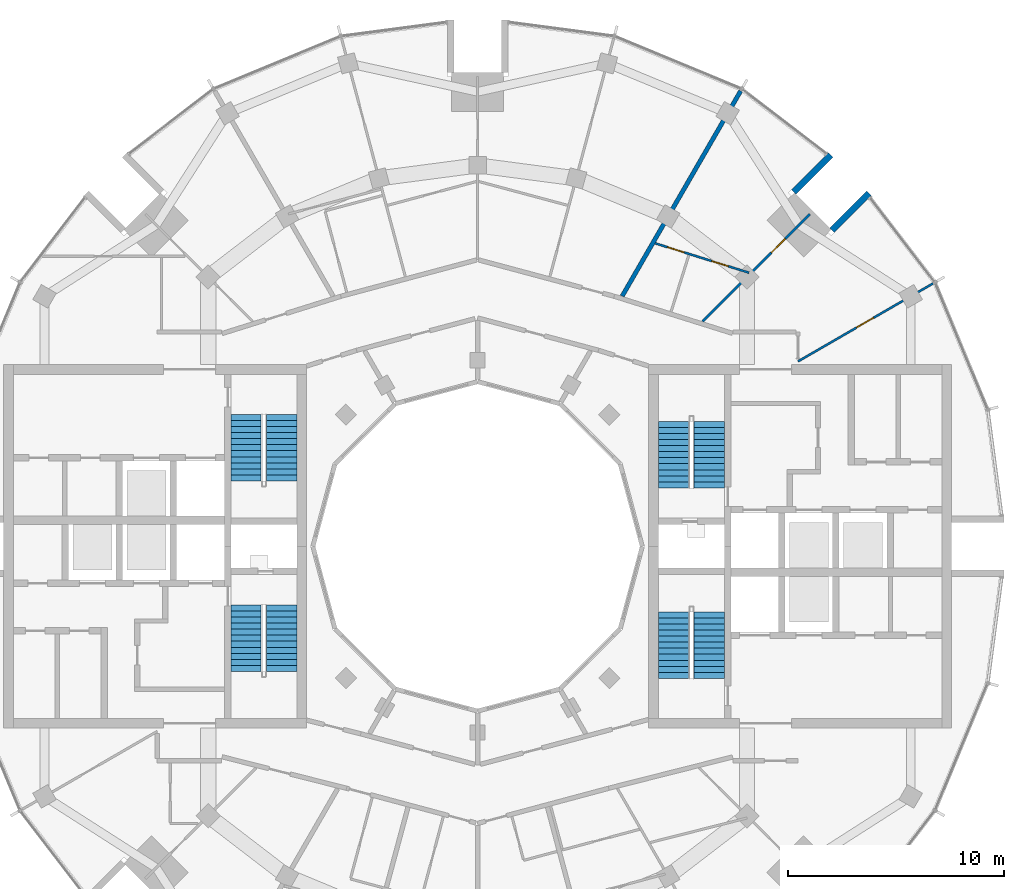
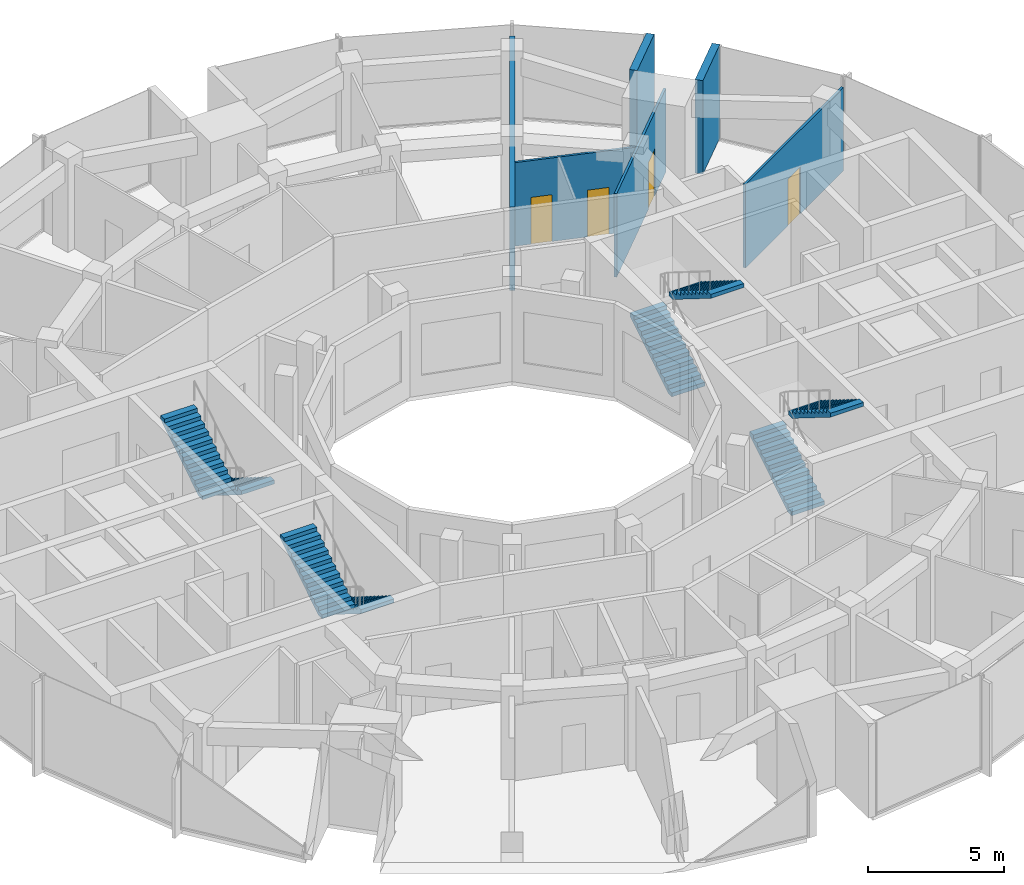
# One storey, part 13 of 15: 8 stair flights, 6 walls, 4 doors, 4 openings, 4 elements without a shape of their own.
"""IFC4 building model written with IfcOpenShell, lengths in metres."""

from ifc_helpers import new_model, si_unit, direction, frame, frame_2d, origin, place, context, subcontext, project, spatial, polyline, rectangle, outline, extrude, material, layer, layer_set, type_object, element, fill, aggregate, save


model = new_model("IFC4")

# Units and contexts
model_context = context("Model", 3, precision=1e-05, world=origin(), true_north=direction((0.0, 1.0)))
body_context = subcontext(model_context, "Body", "Model", "MODEL_VIEW")
ifc_project = project(units=[si_unit("LENGTHUNIT", "METRE"), si_unit("AREAUNIT", "SQUARE_METRE"), si_unit("VOLUMEUNIT", "CUBIC_METRE"), si_unit("PLANEANGLEUNIT", "RADIAN"), si_unit("MASSUNIT", "GRAM", prefix="KILO")], contexts=[model_context])

# Site, building, storey
site_placement = place(None, origin())
site = spatial("IfcSite", under=ifc_project, at=site_placement, CompositionType="ELEMENT")
building_placement = place(site_placement, origin())
building = spatial("IfcBuilding", under=site, at=building_placement, Name="Torre Brocal", CompositionType="ELEMENT")
storey_placement = place(building_placement, frame((0.0, 0.0, 284.10009765625)))
storey = spatial("IfcBuildingStorey", under=building, at=storey_placement, Name="L65", CompositionType="ELEMENT", Elevation=284.10009765625)

# Walls
ifc_material_1 = material(Name="Concrete C50", Category="concrete")
ifc_layer_1 = layer(ifc_material_1, 0.300048828125)
ifc_layer_set_1 = layer_set([ifc_layer_1], Name="Concrete C50")
wall_type_1 = type_object("IfcWallType", Name="NOTCH RETURN WALL 300 C50", PredefinedType="NOTDEFINED", material=ifc_layer_set_1)
for number, where, z_axis, x_axis, name in (
    (1, (96.36962890625, 89.601806640625, 0.0), (0.0, 0.0, 1.0), (0.707106781187, 0.707106781187, 0.0), "NOTCH RETURN WALL"),
    (2, (94.601806640625, 91.36962890625, 0.0), (0.0, 0.0, 1.0), (0.707106781187, 0.707106781187, 0.0), "NOTCH RETURN WALL"),
):
    element("IfcWall", number, at=place(storey_placement, frame(where, z_axis=z_axis, x_axis=x_axis)), inside=storey, type_object=wall_type_1, Name=name, PredefinedType="NOTDEFINED", context=body_context, shape_type="SweptSolid", body=[
        extrude(rectangle(XDim=2.41552734375, YDim=0.300048828125, at=frame_2d((1.207763671875, 0.0))), origin(), (0.0, 0.0, 1.0), 4.199951171875),
    ])

# Wall, openings, doors
ifc_material_2 = material(Name="Gypsum board", Category="Gypsum")
ifc_layer_2 = layer(ifc_material_2, 0.10009765625)
ifc_layer_set_2 = layer_set([ifc_layer_2], Name="Gypsum board")
wall_type_2 = type_object("IfcWallType", Name="PARTITION 100", PredefinedType="PARTITIONING", material=ifc_layer_set_2)
wall_1_placement = place(storey_placement, frame((88.20703125, 88.999267578125, 0.0), z_axis=(0.0, 0.0, 1.0), x_axis=(0.954166656768, -0.29927577769, 0.0)))
wall_1 = element("IfcWall", 3, at=wall_1_placement, inside=storey, type_object=wall_type_2, Name="BATHROOM WALL", PredefinedType="PARTITIONING", context=body_context, shape_type="SweptSolid", body=[
    extrude(rectangle(XDim=4.54150390625, YDim=0.10009765625, at=frame_2d((2.270751953125, 0.0))), origin(), (0.0, 0.0, 1.0), 3.75),
])
opening_1_placement = place(wall_1_placement, frame((0.59228515625, 0.0, 0.0)))
opening_1 = element("IfcOpeningElement", 4, at=opening_1_placement, cuts=wall_1, Name="Opening N01-D03", PredefinedType="OPENING", context=body_context, shape_type="SweptSolid", body=[
    extrude(rectangle(XDim=0.800048828125, YDim=2.10009765625, at=frame_2d((0.39990234375, 1.050048828125))), frame((0.0, 0.06005859375, 0.0), z_axis=(0.0, -1.0, 0.0), x_axis=(1.0, 0.0, 0.0)), (0.0, 0.0, 1.0), 0.1201171875),
])
opening_2_placement = place(wall_1_placement, frame((2.73193359375, 0.0, 0.0)))
opening_2 = element("IfcOpeningElement", 5, at=opening_2_placement, cuts=wall_1, Name="Opening N01-D04", PredefinedType="OPENING", context=body_context, shape_type="SweptSolid", body=[
    extrude(rectangle(XDim=0.800048828125, YDim=2.10009765625, at=frame_2d((0.39990234375, 1.050048828125))), frame((0.0, 0.06005859375, 0.0), z_axis=(0.0, -1.0, 0.0), x_axis=(1.0, 0.0, 0.0)), (0.0, 0.0, 1.0), 0.1201171875),
])
ifc_material_3 = material(Name="Timber", Category="wood")
door_type_1 = type_object("IfcDoorType", Name="BATHROOM DOOR 800X2100", OperationType="SINGLE_SWING_LEFT", PredefinedType="DOOR", material=ifc_material_3)
door_1_placement = place(opening_1_placement, frame((0.800048828125, 0.0, 0.0), z_axis=(0.0, 0.0, 1.0), x_axis=(-1.0, 0.0, 0.0)))
door_1 = element("IfcDoor", 6, at=door_1_placement, inside=storey, type_object=door_type_1, Name="N01-D03", OperationType="SINGLE_SWING_LEFT", OverallHeight=2.10009765625, OverallWidth=0.800048828125, PredefinedType="DOOR", context=body_context, shape_type="SweptSolid", body=[
    extrude(rectangle(XDim=0.800048828125, YDim=2.10009765625, at=frame_2d((0.39990234375, 1.050048828125))), frame((0.0, 0.02490234375, 0.0), z_axis=(0.0, -1.0, 0.0), x_axis=(1.0, 0.0, 0.0)), (0.0, 0.0, 1.0), 0.050048828125),
])
fill(opening_1, door_1)
door_2_placement = place(opening_2_placement, frame((0.800048828125, 0.0, 0.0), z_axis=(0.0, 0.0, 1.0), x_axis=(-1.0, 0.0, 0.0)))
door_2 = element("IfcDoor", 7, at=door_2_placement, inside=storey, type_object=door_type_1, Name="N01-D04", OperationType="SINGLE_SWING_LEFT", OverallHeight=2.10009765625, OverallWidth=0.800048828125, PredefinedType="DOOR", context=body_context, shape_type="SweptSolid", body=[
    extrude(rectangle(XDim=0.800048828125, YDim=2.10009765625, at=frame_2d((0.39990234375, 1.050048828125))), frame((0.0, 0.02490234375, 0.0), z_axis=(0.0, -1.0, 0.0), x_axis=(1.0, 0.0, 0.0)), (0.0, 0.0, 1.0), 0.050048828125),
])
fill(opening_2, door_2)

# Wall, opening, door
wall_2_placement = place(storey_placement, frame((90.39501953125, 85.39501953125, 0.0), z_axis=(0.0, 0.0, 1.0), x_axis=(0.707106781187, 0.707106781187, 0.0)))
wall_2 = element("IfcWall", 8, at=wall_2_placement, inside=storey, type_object=wall_type_2, Name="BATHROOM WALL", PredefinedType="PARTITIONING", context=body_context, shape_type="SweptSolid", body=[
    extrude(rectangle(XDim=6.99951171875, YDim=0.10009765625, at=frame_2d((3.499755859375, 0.0))), origin(), (0.0, 0.0, 1.0), 3.75),
])
opening_3_placement = place(wall_2_placement, frame((4.49609375, 0.0, 0.0)))
opening_3 = element("IfcOpeningElement", 9, at=opening_3_placement, cuts=wall_2, Name="Opening N01-D02", PredefinedType="OPENING", context=body_context, shape_type="SweptSolid", body=[
    extrude(rectangle(XDim=0.89990234375, YDim=2.10009765625, at=frame_2d((0.449951171875, 1.050048828125))), frame((0.0, 0.06005859375, 0.0), z_axis=(0.0, -1.0, 0.0), x_axis=(1.0, 0.0, 0.0)), (0.0, 0.0, 1.0), 0.1201171875),
])
ifc_material_4 = material(Name="Timber", Category="wood")
door_type_2 = type_object("IfcDoorType", Name="ROOM DOOR 900X2100", OperationType="SINGLE_SWING_LEFT", PredefinedType="DOOR", material=ifc_material_4)
door_3_placement = place(opening_3_placement, frame((0.89990234375, 0.0, 0.0), z_axis=(0.0, 0.0, 1.0), x_axis=(-1.0, 0.0, 0.0)))
door_3 = element("IfcDoor", 10, at=door_3_placement, inside=storey, type_object=door_type_2, Name="N01-D02", OperationType="SINGLE_SWING_RIGHT", OverallHeight=2.10009765625, OverallWidth=0.89990234375, PredefinedType="DOOR", context=body_context, shape_type="SweptSolid", body=[
    extrude(rectangle(XDim=0.89990234375, YDim=2.10009765625, at=frame_2d((0.449951171875, 1.050048828125))), frame((0.0, 0.02490234375, 0.0), z_axis=(0.0, -1.0, 0.0), x_axis=(1.0, 0.0, 0.0)), (0.0, 0.0, 1.0), 0.050048828125),
])
fill(opening_3, door_3)

wall_3_placement = place(storey_placement, frame((94.800048828125, 83.544921875, 0.0), z_axis=(0.0, 0.0, 1.0), x_axis=(0.866044015472, 0.499967762227, 0.0)))
wall_3 = element("IfcWall", 11, at=wall_3_placement, inside=storey, type_object=wall_type_2, Name="ROOM PARTITION", PredefinedType="PARTITIONING", context=body_context, shape_type="SweptSolid", body=[
    extrude(rectangle(XDim=7.2080078125, YDim=0.10009765625, at=frame_2d((3.60400390625, 0.0))), origin(), (0.0, 0.0, 1.0), 3.75),
])
opening_4_placement = place(wall_3_placement, frame((3.12890625, 0.0, 0.0)))
opening_4 = element("IfcOpeningElement", 12, at=opening_4_placement, cuts=wall_3, Name="Opening N01-D05", PredefinedType="OPENING", context=body_context, shape_type="SweptSolid", body=[
    extrude(rectangle(XDim=0.89990234375, YDim=2.10009765625, at=frame_2d((0.449951171875, 1.050048828125))), frame((0.0, 0.06005859375, 0.0), z_axis=(0.0, -1.0, 0.0), x_axis=(1.0, 0.0, 0.0)), (0.0, 0.0, 1.0), 0.1201171875),
])
door_4_placement = place(opening_4_placement, frame((0.89990234375, 0.0, 0.0), z_axis=(0.0, 0.0, 1.0), x_axis=(-1.0, 0.0, 0.0)))
door_4 = element("IfcDoor", 13, at=door_4_placement, inside=storey, type_object=door_type_2, Name="N01-D05", OperationType="SINGLE_SWING_RIGHT", OverallHeight=2.10009765625, OverallWidth=0.89990234375, PredefinedType="DOOR", context=body_context, shape_type="SweptSolid", body=[
    extrude(rectangle(XDim=0.89990234375, YDim=2.10009765625, at=frame_2d((0.449951171875, 1.050048828125))), frame((0.0, 0.02490234375, 0.0), z_axis=(0.0, -1.0, 0.0), x_axis=(1.0, 0.0, 0.0)), (0.0, 0.0, 1.0), 0.050048828125),
])
fill(opening_4, door_4)

# Wall
ifc_material_5 = material(Name="Gypsum board", Category="Gypsum")
ifc_layer_3 = layer(ifc_material_5, 0.199951171875)
ifc_layer_set_3 = layer_set([ifc_layer_3], Name="Gypsum board")
wall_type_3 = type_object("IfcWallType", Name="PARTITION 200 EI60", PredefinedType="PARTITIONING", material=ifc_layer_set_3)
wall_4_placement = place(storey_placement, frame((86.677978515625, 86.561767578125, 0.0), z_axis=(0.0, 0.0, 1.0), x_axis=(0.500133037155, 0.865948581122, 0.0)))
element("IfcWall", 14, at=wall_4_placement, inside=storey, type_object=wall_type_3, Name="BATHROOM WALL", PredefinedType="PARTITIONING", context=body_context, shape_type="SweptSolid", body=[
    extrude(rectangle(XDim=10.94580078125, YDim=0.199951171875, at=frame_2d((5.472900390625, 0.0))), origin(), (0.0, 0.0, 1.0), 3.75),
])

# Stair, stair flights
ifc_material_6 = material(Name="Concrete C50", Category="concrete")
stair_type = type_object("IfcStairType", Name="EXIT STAIR", PredefinedType="HALF_TURN_STAIR", material=ifc_material_6)
stair_1_placement = place(storey_placement, origin())
stair_1 = element("IfcStair", 15, at=stair_1_placement, inside=storey, type_object=stair_type, Name="EXIT STAIR ST1", PredefinedType="HALF_TURN_STAIR")
ifc_material_7 = material(Name="Concrete C50", Category="concrete")
ifc_layer_4 = layer(ifc_material_7, 0.14990234375)
ifc_layer_set_4 = layer_set([ifc_layer_4], Name="Concrete C50")
stair_flight_type = type_object("IfcStairFlightType", Name="STAIR FLIGHT", PredefinedType="STRAIGHT", material=ifc_layer_set_4)
stair_flight_1_placement = place(storey_placement, frame((89.050048828125, 77.699951171875, 0.0), z_axis=(0.0, 0.0, 1.0), x_axis=(0.0, 1.0, 0.0)))
stair_flight_1 = element("IfcStairFlight", 16, at=stair_flight_1_placement, type_object=stair_flight_type, Name="ST1 flight 1", NumberOfRisers=12, NumberOfTreads=11, PredefinedType="STRAIGHT", RiserHeight=0.175, TreadLength=0.28, context=body_context, shape_type="SweptSolid", body=[
    extrude(outline(polyline([(0.0, 0.0), (0.0, 0.175048828125), (0.280029296875, 0.175048828125), (0.280029296875, 0.35009765625), (0.56005859375, 0.35009765625), (0.56005859375, 0.52490234375), (0.840087890625, 0.52490234375), (0.840087890625, 0.699951171875), (1.1201171875, 0.699951171875), (1.1201171875, 0.875), (1.39990234375, 0.875), (1.39990234375, 1.050048828125), (1.679931640625, 1.050048828125), (1.679931640625, 1.22509765625), (1.9599609375, 1.22509765625), (1.9599609375, 1.39990234375), (2.239990234375, 1.39990234375), (2.239990234375, 1.574951171875), (2.52001953125, 1.574951171875), (2.52001953125, 1.75), (2.800048828125, 1.75), (2.800048828125, 1.925048828125), (3.080078125, 1.925048828125), (3.080078125, 2.10009765625), (3.080078125, 1.748291015625), (0.28271484375, 0.0), (0.0, 0.0)])), frame((0.0, 0.699951171875, 0.0), z_axis=(0.0, -1.0, 0.0), x_axis=(1.0, 0.0, 0.0)), (0.0, 0.0, 1.0), 1.39990234375),
])
stair_flight_2_placement = place(storey_placement, frame((90.699951171875, 80.780029296875, 2.099853515625), z_axis=(0.0, 0.0, 1.0), x_axis=(0.0, -1.0, 0.0)))
stair_flight_2 = element("IfcStairFlight", 17, at=stair_flight_2_placement, type_object=stair_flight_type, Name="ST1 flight 2", NumberOfRisers=12, NumberOfTreads=11, PredefinedType="STRAIGHT", RiserHeight=0.175, TreadLength=0.28, context=body_context, shape_type="SweptSolid", body=[
    extrude(outline(polyline([(0.0, 0.0), (0.0, 0.175048828125), (0.280029296875, 0.175048828125), (0.280029296875, 0.35009765625), (0.56005859375, 0.35009765625), (0.56005859375, 0.52490234375), (0.840087890625, 0.52490234375), (0.840087890625, 0.699951171875), (1.1201171875, 0.699951171875), (1.1201171875, 0.875), (1.39990234375, 0.875), (1.39990234375, 1.050048828125), (1.679931640625, 1.050048828125), (1.679931640625, 1.22509765625), (1.9599609375, 1.22509765625), (1.9599609375, 1.39990234375), (2.239990234375, 1.39990234375), (2.239990234375, 1.574951171875), (2.52001953125, 1.574951171875), (2.52001953125, 1.75), (2.800048828125, 1.75), (2.800048828125, 1.925048828125), (3.080078125, 1.925048828125), (3.080078125, 2.10009765625), (3.080078125, 1.748291015625), (0.28271484375, 0.0), (0.0, 0.0)])), frame((0.0, 0.699951171875, 0.0), z_axis=(0.0, -1.0, 0.0), x_axis=(1.0, 0.0, 0.0)), (0.0, 0.0, 1.0), 1.39990234375),
])
aggregate(stair_1, [stair_flight_1, stair_flight_2])

stair_2_placement = place(storey_placement, origin())
stair_2 = element("IfcStair", 18, at=stair_2_placement, inside=storey, type_object=stair_type, Name="EXIT STAIR ST2", PredefinedType="HALF_TURN_STAIR")
stair_flight_3_placement = place(storey_placement, frame((89.050048828125, 68.89990234375, 0.0), z_axis=(0.0, 0.0, 1.0), x_axis=(0.0, 1.0, 0.0)))
stair_flight_3 = element("IfcStairFlight", 19, at=stair_flight_3_placement, type_object=stair_flight_type, Name="ST2 flight 1", NumberOfRisers=12, NumberOfTreads=11, PredefinedType="STRAIGHT", RiserHeight=0.175, TreadLength=0.28, context=body_context, shape_type="SweptSolid", body=[
    extrude(outline(polyline([(0.0, 0.0), (0.0, 0.175048828125), (0.280029296875, 0.175048828125), (0.280029296875, 0.35009765625), (0.56005859375, 0.35009765625), (0.56005859375, 0.52490234375), (0.840087890625, 0.52490234375), (0.840087890625, 0.699951171875), (1.1201171875, 0.699951171875), (1.1201171875, 0.875), (1.39990234375, 0.875), (1.39990234375, 1.050048828125), (1.679931640625, 1.050048828125), (1.679931640625, 1.22509765625), (1.9599609375, 1.22509765625), (1.9599609375, 1.39990234375), (2.239990234375, 1.39990234375), (2.239990234375, 1.574951171875), (2.52001953125, 1.574951171875), (2.52001953125, 1.75), (2.800048828125, 1.75), (2.800048828125, 1.925048828125), (3.080078125, 1.925048828125), (3.080078125, 2.10009765625), (3.080078125, 1.748291015625), (0.28271484375, 0.0), (0.0, 0.0)])), frame((0.0, 0.699951171875, 0.0), z_axis=(0.0, -1.0, 0.0), x_axis=(1.0, 0.0, 0.0)), (0.0, 0.0, 1.0), 1.39990234375),
])
stair_flight_4_placement = place(storey_placement, frame((90.699951171875, 71.97998046875, 2.099853515625), z_axis=(0.0, 0.0, 1.0), x_axis=(0.0, -1.0, 0.0)))
stair_flight_4 = element("IfcStairFlight", 20, at=stair_flight_4_placement, type_object=stair_flight_type, Name="ST2 flight 2", NumberOfRisers=12, NumberOfTreads=11, PredefinedType="STRAIGHT", RiserHeight=0.175, TreadLength=0.28, context=body_context, shape_type="SweptSolid", body=[
    extrude(outline(polyline([(0.0, 0.0), (0.0, 0.175048828125), (0.280029296875, 0.175048828125), (0.280029296875, 0.35009765625), (0.56005859375, 0.35009765625), (0.56005859375, 0.52490234375), (0.840087890625, 0.52490234375), (0.840087890625, 0.699951171875), (1.1201171875, 0.699951171875), (1.1201171875, 0.875), (1.39990234375, 0.875), (1.39990234375, 1.050048828125), (1.679931640625, 1.050048828125), (1.679931640625, 1.22509765625), (1.9599609375, 1.22509765625), (1.9599609375, 1.39990234375), (2.239990234375, 1.39990234375), (2.239990234375, 1.574951171875), (2.52001953125, 1.574951171875), (2.52001953125, 1.75), (2.800048828125, 1.75), (2.800048828125, 1.925048828125), (3.080078125, 1.925048828125), (3.080078125, 2.10009765625), (3.080078125, 1.748291015625), (0.28271484375, 0.0), (0.0, 0.0)])), frame((0.0, 0.699951171875, 0.0), z_axis=(0.0, -1.0, 0.0), x_axis=(1.0, 0.0, 0.0)), (0.0, 0.0, 1.0), 1.39990234375),
])
aggregate(stair_2, [stair_flight_3, stair_flight_4])

stair_3_placement = place(storey_placement, origin())
stair_3 = element("IfcStair", 21, at=stair_3_placement, inside=storey, type_object=stair_type, Name="EXIT STAIR ST3", PredefinedType="HALF_TURN_STAIR")
stair_flight_5_placement = place(storey_placement, frame((70.949951171875, 72.300048828125, 0.0), z_axis=(0.0, 0.0, 1.0), x_axis=(0.0, -1.0, 0.0)))
stair_flight_5 = element("IfcStairFlight", 22, at=stair_flight_5_placement, type_object=stair_flight_type, Name="ST3 flight 1", NumberOfRisers=12, NumberOfTreads=11, PredefinedType="STRAIGHT", RiserHeight=0.175, TreadLength=0.28, context=body_context, shape_type="SweptSolid", body=[
    extrude(outline(polyline([(0.0, 0.0), (0.0, 0.175048828125), (0.280029296875, 0.175048828125), (0.280029296875, 0.35009765625), (0.56005859375, 0.35009765625), (0.56005859375, 0.52490234375), (0.840087890625, 0.52490234375), (0.840087890625, 0.699951171875), (1.1201171875, 0.699951171875), (1.1201171875, 0.875), (1.39990234375, 0.875), (1.39990234375, 1.050048828125), (1.679931640625, 1.050048828125), (1.679931640625, 1.22509765625), (1.9599609375, 1.22509765625), (1.9599609375, 1.39990234375), (2.239990234375, 1.39990234375), (2.239990234375, 1.574951171875), (2.52001953125, 1.574951171875), (2.52001953125, 1.75), (2.800048828125, 1.75), (2.800048828125, 1.925048828125), (3.080078125, 1.925048828125), (3.080078125, 2.10009765625), (3.080078125, 1.748291015625), (0.28271484375, 0.0), (0.0, 0.0)])), frame((0.0, 0.699951171875, 0.0), z_axis=(0.0, -1.0, 0.0), x_axis=(1.0, 0.0, 0.0)), (0.0, 0.0, 1.0), 1.39990234375),
])
stair_flight_6_placement = place(storey_placement, frame((69.300048828125, 69.219970703125, 2.099853515625), z_axis=(0.0, 0.0, 1.0), x_axis=(0.0, 1.0, 0.0)))
stair_flight_6 = element("IfcStairFlight", 23, at=stair_flight_6_placement, type_object=stair_flight_type, Name="ST3 flight 2", NumberOfRisers=12, NumberOfTreads=11, PredefinedType="STRAIGHT", RiserHeight=0.175, TreadLength=0.28, context=body_context, shape_type="SweptSolid", body=[
    extrude(outline(polyline([(0.0, 0.0), (0.0, 0.175048828125), (0.280029296875, 0.175048828125), (0.280029296875, 0.35009765625), (0.56005859375, 0.35009765625), (0.56005859375, 0.52490234375), (0.840087890625, 0.52490234375), (0.840087890625, 0.699951171875), (1.1201171875, 0.699951171875), (1.1201171875, 0.875), (1.39990234375, 0.875), (1.39990234375, 1.050048828125), (1.679931640625, 1.050048828125), (1.679931640625, 1.22509765625), (1.9599609375, 1.22509765625), (1.9599609375, 1.39990234375), (2.239990234375, 1.39990234375), (2.239990234375, 1.574951171875), (2.52001953125, 1.574951171875), (2.52001953125, 1.75), (2.800048828125, 1.75), (2.800048828125, 1.925048828125), (3.080078125, 1.925048828125), (3.080078125, 2.10009765625), (3.080078125, 1.748291015625), (0.28271484375, 0.0), (0.0, 0.0)])), frame((0.0, 0.699951171875, 0.0), z_axis=(0.0, -1.0, 0.0), x_axis=(1.0, 0.0, 0.0)), (0.0, 0.0, 1.0), 1.39990234375),
])
aggregate(stair_3, [stair_flight_5, stair_flight_6])

stair_4_placement = place(storey_placement, origin())
stair_4 = element("IfcStair", 24, at=stair_4_placement, inside=storey, type_object=stair_type, Name="EXIT STAIR ST4", PredefinedType="HALF_TURN_STAIR")
stair_flight_7_placement = place(storey_placement, frame((70.949951171875, 81.10009765625, 0.0), z_axis=(0.0, 0.0, 1.0), x_axis=(0.0, -1.0, 0.0)))
stair_flight_7 = element("IfcStairFlight", 25, at=stair_flight_7_placement, type_object=stair_flight_type, Name="ST4 flight 1", NumberOfRisers=12, NumberOfTreads=11, PredefinedType="STRAIGHT", RiserHeight=0.175, TreadLength=0.28, context=body_context, shape_type="SweptSolid", body=[
    extrude(outline(polyline([(0.0, 0.0), (0.0, 0.175048828125), (0.280029296875, 0.175048828125), (0.280029296875, 0.35009765625), (0.56005859375, 0.35009765625), (0.56005859375, 0.52490234375), (0.840087890625, 0.52490234375), (0.840087890625, 0.699951171875), (1.1201171875, 0.699951171875), (1.1201171875, 0.875), (1.39990234375, 0.875), (1.39990234375, 1.050048828125), (1.679931640625, 1.050048828125), (1.679931640625, 1.22509765625), (1.9599609375, 1.22509765625), (1.9599609375, 1.39990234375), (2.239990234375, 1.39990234375), (2.239990234375, 1.574951171875), (2.52001953125, 1.574951171875), (2.52001953125, 1.75), (2.800048828125, 1.75), (2.800048828125, 1.925048828125), (3.080078125, 1.925048828125), (3.080078125, 2.10009765625), (3.080078125, 1.748291015625), (0.28271484375, 0.0), (0.0, 0.0)])), frame((0.0, 0.699951171875, 0.0), z_axis=(0.0, -1.0, 0.0), x_axis=(1.0, 0.0, 0.0)), (0.0, 0.0, 1.0), 1.39990234375),
])
stair_flight_8_placement = place(storey_placement, frame((69.300048828125, 78.02001953125, 2.099853515625), z_axis=(0.0, 0.0, 1.0), x_axis=(0.0, 1.0, 0.0)))
stair_flight_8 = element("IfcStairFlight", 26, at=stair_flight_8_placement, type_object=stair_flight_type, Name="ST4 flight 2", NumberOfRisers=12, NumberOfTreads=11, PredefinedType="STRAIGHT", RiserHeight=0.175, TreadLength=0.28, context=body_context, shape_type="SweptSolid", body=[
    extrude(outline(polyline([(0.0, 0.0), (0.0, 0.175048828125), (0.280029296875, 0.175048828125), (0.280029296875, 0.35009765625), (0.56005859375, 0.35009765625), (0.56005859375, 0.52490234375), (0.840087890625, 0.52490234375), (0.840087890625, 0.699951171875), (1.1201171875, 0.699951171875), (1.1201171875, 0.875), (1.39990234375, 0.875), (1.39990234375, 1.050048828125), (1.679931640625, 1.050048828125), (1.679931640625, 1.22509765625), (1.9599609375, 1.22509765625), (1.9599609375, 1.39990234375), (2.239990234375, 1.39990234375), (2.239990234375, 1.574951171875), (2.52001953125, 1.574951171875), (2.52001953125, 1.75), (2.800048828125, 1.75), (2.800048828125, 1.925048828125), (3.080078125, 1.925048828125), (3.080078125, 2.10009765625), (3.080078125, 1.748291015625), (0.28271484375, 0.0), (0.0, 0.0)])), frame((0.0, 0.699951171875, 0.0), z_axis=(0.0, -1.0, 0.0), x_axis=(1.0, 0.0, 0.0)), (0.0, 0.0, 1.0), 1.39990234375),
])
aggregate(stair_4, [stair_flight_7, stair_flight_8])

save(model, "model.ifc")
